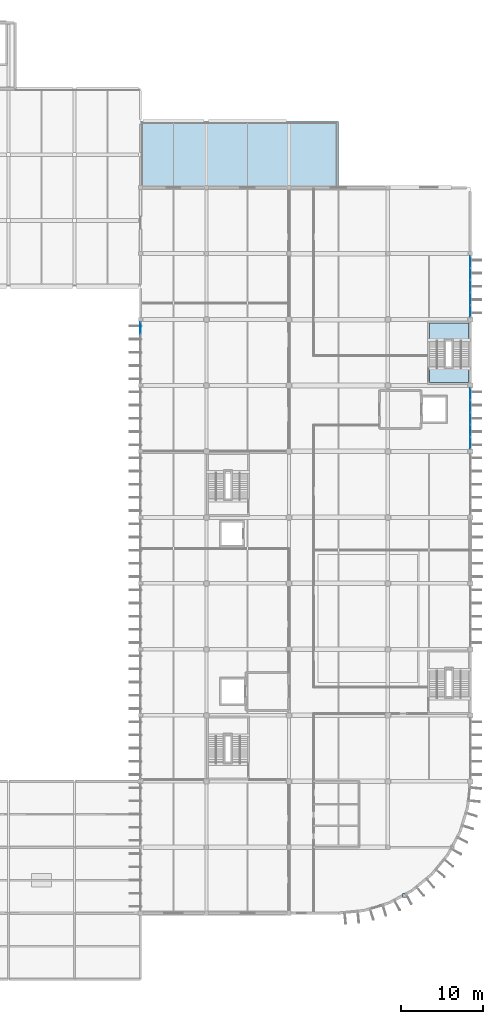
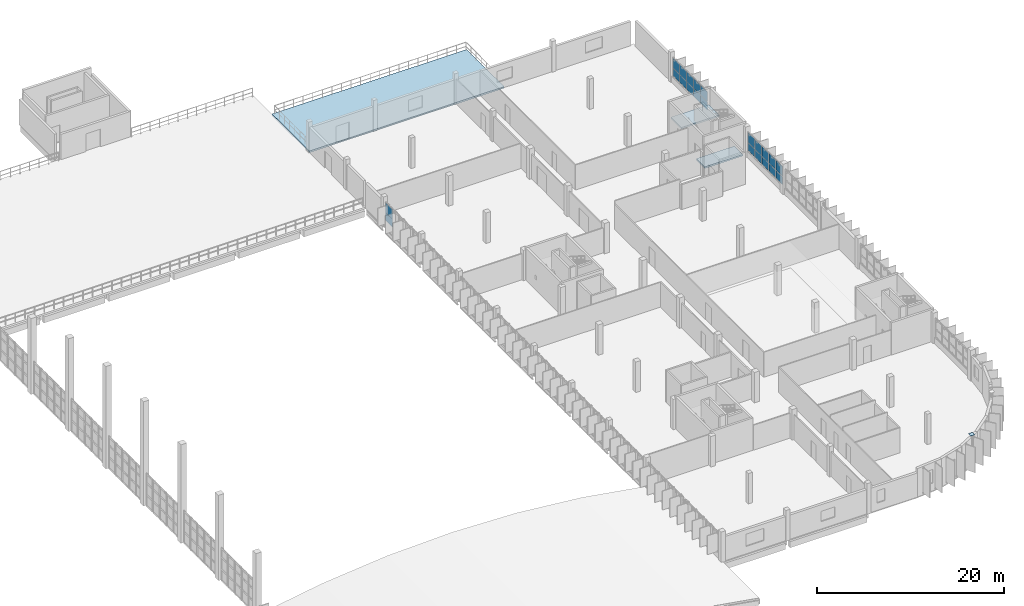
# One storey, part 44 of 66: 23 plates, 3 slabs, 4 elements without a shape of their own.
"""IFC4 building model written with IfcOpenShell, lengths in metres."""

from ifc_helpers import new_model, si_unit, direction, frame, origin, origin_2d, place, context, subcontext, project, spatial, polyline, rectangle, outline, extrude, material, layer, layer_set, type_object, element, aggregate, save


model = new_model("IFC4")

# Units and contexts
model_context = context("Model", 3, precision=1e-05, world=origin(), true_north=direction((0.0, 1.0)))
body_context = subcontext(model_context, "Body", "Model", "MODEL_VIEW")
ifc_project = project(units=[si_unit("LENGTHUNIT", "METRE"), si_unit("AREAUNIT", "SQUARE_METRE"), si_unit("VOLUMEUNIT", "CUBIC_METRE"), si_unit("PLANEANGLEUNIT", "RADIAN"), si_unit("MASSUNIT", "GRAM", prefix="KILO")], contexts=[model_context])

# Site, building, storey
site_placement = place(None, origin())
site = spatial("IfcSite", under=ifc_project, at=site_placement, CompositionType="ELEMENT")
building_placement = place(site_placement, origin())
building = spatial("IfcBuilding", under=site, at=building_placement, Name="Drelvana Railside Aquatics Centre", CompositionType="ELEMENT")
storey_placement = place(building_placement, frame((0.0, 0.0, 10.199951171875)))
storey = spatial("IfcBuildingStorey", under=building, at=storey_placement, Name="L02", CompositionType="ELEMENT", Elevation=10.199951171875)

# Curtain wall, plates
ifc_material_1 = material(Name="Bronze-anodised aluminium curtain wall", Category="aluminium")
ifc_layer_1 = layer(ifc_material_1, 0.175048828125, Name="Bronze-anodised aluminium curtain wall")
ifc_layer_set_1 = layer_set([ifc_layer_1], Name="Bronze-anodised aluminium curtain wall")
curtain_wall_type = type_object("IfcCurtainWallType", Name="CW-Z6-WING", PredefinedType="NOTDEFINED", material=ifc_layer_set_1)
curtain_wall_1_placement = place(storey_placement, origin())
curtain_wall_1 = element("IfcCurtainWall", 1, at=curtain_wall_1_placement, inside=storey, type_object=curtain_wall_type, Name="Curtain wall CW-06-161", PredefinedType="NOTDEFINED")
ifc_material_2 = material(Name="Double-glazed low-e solar-control glass", Category="glass")
ifc_layer_2 = layer(ifc_material_2, 0.02392578125, Name="Double-glazed low-e solar-control glass")
ifc_layer_set_2 = layer_set([ifc_layer_2], Name="Double-glazed low-e solar-control glass")
plate_type_1 = type_object("IfcPlateType", Name="CW-Z6-WING-PAN", PredefinedType="CURTAIN_PANEL", material=ifc_layer_set_2)
plate_1_placement = place(storey_placement, frame((144.0, 78.988525390625, 0.84912109375), z_axis=(0.0, 0.0, 1.0), x_axis=(0.0, 1.0, 0.0)))
plate_1 = element("IfcPlate", 2, at=plate_1_placement, type_object=plate_type_1, Name="CW-06 panel 5.1", PredefinedType="CURTAIN_PANEL", context=body_context, shape_type="SweptSolid", body=[
    extrude(rectangle(XDim=1.414794921875, YDim=0.02392578125, at=origin_2d()), origin(), (0.0, 0.0, 1.0), 1.02490234375),
])
plate_2_placement = place(storey_placement, frame((144.0, 78.988525390625, 1.924072265625), z_axis=(0.0, 0.0, 1.0), x_axis=(0.0, 1.0, 0.0)))
plate_2 = element("IfcPlate", 3, at=plate_2_placement, type_object=plate_type_1, Name="CW-06 panel 5.2", PredefinedType="CURTAIN_PANEL", context=body_context, shape_type="SweptSolid", body=[
    extrude(rectangle(XDim=1.414794921875, YDim=0.02392578125, at=origin_2d()), origin(), (0.0, 0.0, 1.0), 1.27099609375),
])
aggregate(curtain_wall_1, [plate_1, plate_2])

curtain_wall_2_placement = place(storey_placement, origin())
curtain_wall_2 = element("IfcCurtainWall", 4, at=curtain_wall_2_placement, inside=storey, type_object=curtain_wall_type, Name="Curtain wall CW-06-181", PredefinedType="NOTDEFINED")
plate_3_placement = place(storey_placement, frame((184.0, 65.051513671875, 0.84912109375), z_axis=(0.0, 0.0, 1.0), x_axis=(0.0, 1.0, 0.0)))
plate_3 = element("IfcPlate", 5, at=plate_3_placement, type_object=plate_type_1, Name="CW-06 panel 1.1", PredefinedType="CURTAIN_PANEL", context=body_context, shape_type="SweptSolid", body=[
    extrude(rectangle(XDim=1.39501953125, YDim=0.02392578125, at=origin_2d()), origin(), (0.0, 0.0, 1.0), 1.02490234375),
])
plate_4_placement = place(storey_placement, frame((184.0, 65.051513671875, 1.924072265625), z_axis=(0.0, 0.0, 1.0), x_axis=(0.0, 1.0, 0.0)))
plate_4 = element("IfcPlate", 6, at=plate_4_placement, type_object=plate_type_1, Name="CW-06 panel 1.2", PredefinedType="CURTAIN_PANEL", context=body_context, shape_type="SweptSolid", body=[
    extrude(rectangle(XDim=1.39501953125, YDim=0.02392578125, at=origin_2d()), origin(), (0.0, 0.0, 1.0), 1.27099609375),
])
plate_5_placement = place(storey_placement, frame((184.0, 66.517578125, 0.84912109375), z_axis=(0.0, 0.0, 1.0), x_axis=(0.0, 1.0, 0.0)))
plate_5 = element("IfcPlate", 7, at=plate_5_placement, type_object=plate_type_1, Name="CW-06 panel 2.1", PredefinedType="CURTAIN_PANEL", context=body_context, shape_type="SweptSolid", body=[
    extrude(rectangle(XDim=1.427490234375, YDim=0.02392578125, at=origin_2d()), origin(), (0.0, 0.0, 1.0), 1.02490234375),
])
plate_6_placement = place(storey_placement, frame((184.0, 66.517578125, 1.924072265625), z_axis=(0.0, 0.0, 1.0), x_axis=(0.0, 1.0, 0.0)))
plate_6 = element("IfcPlate", 8, at=plate_6_placement, type_object=plate_type_1, Name="CW-06 panel 2.2", PredefinedType="CURTAIN_PANEL", context=body_context, shape_type="SweptSolid", body=[
    extrude(rectangle(XDim=1.427490234375, YDim=0.02392578125, at=origin_2d()), origin(), (0.0, 0.0, 1.0), 1.27099609375),
])
plate_7_placement = place(storey_placement, frame((184.0, 68.0, 0.84912109375), z_axis=(0.0, 0.0, 1.0), x_axis=(0.0, 1.0, 0.0)))
plate_7 = element("IfcPlate", 9, at=plate_7_placement, type_object=plate_type_1, Name="CW-06 panel 3.1", PredefinedType="CURTAIN_PANEL", context=body_context, shape_type="SweptSolid", body=[
    extrude(rectangle(XDim=1.427490234375, YDim=0.02392578125, at=origin_2d()), origin(), (0.0, 0.0, 1.0), 1.02490234375),
])
plate_8_placement = place(storey_placement, frame((184.0, 68.0, 1.924072265625), z_axis=(0.0, 0.0, 1.0), x_axis=(0.0, 1.0, 0.0)))
plate_8 = element("IfcPlate", 10, at=plate_8_placement, type_object=plate_type_1, Name="CW-06 panel 3.2", PredefinedType="CURTAIN_PANEL", context=body_context, shape_type="SweptSolid", body=[
    extrude(rectangle(XDim=1.427490234375, YDim=0.02392578125, at=origin_2d()), origin(), (0.0, 0.0, 1.0), 1.27099609375),
])
plate_9_placement = place(storey_placement, frame((184.0, 69.482421875, 0.84912109375), z_axis=(0.0, 0.0, 1.0), x_axis=(0.0, 1.0, 0.0)))
plate_9 = element("IfcPlate", 11, at=plate_9_placement, type_object=plate_type_1, Name="CW-06 panel 4.1", PredefinedType="CURTAIN_PANEL", context=body_context, shape_type="SweptSolid", body=[
    extrude(rectangle(XDim=1.427490234375, YDim=0.02392578125, at=origin_2d()), origin(), (0.0, 0.0, 1.0), 1.02490234375),
])
plate_10_placement = place(storey_placement, frame((184.0, 69.482421875, 1.924072265625), z_axis=(0.0, 0.0, 1.0), x_axis=(0.0, 1.0, 0.0)))
plate_10 = element("IfcPlate", 12, at=plate_10_placement, type_object=plate_type_1, Name="CW-06 panel 4.2", PredefinedType="CURTAIN_PANEL", context=body_context, shape_type="SweptSolid", body=[
    extrude(rectangle(XDim=1.427490234375, YDim=0.02392578125, at=origin_2d()), origin(), (0.0, 0.0, 1.0), 1.27099609375),
])
plate_11_placement = place(storey_placement, frame((184.0, 70.948486328125, 0.84912109375), z_axis=(0.0, 0.0, 1.0), x_axis=(0.0, 1.0, 0.0)))
plate_11 = element("IfcPlate", 13, at=plate_11_placement, type_object=plate_type_1, Name="CW-06 panel 5.1", PredefinedType="CURTAIN_PANEL", context=body_context, shape_type="SweptSolid", body=[
    extrude(rectangle(XDim=1.39501953125, YDim=0.02392578125, at=origin_2d()), origin(), (0.0, 0.0, 1.0), 1.02490234375),
])
plate_12_placement = place(storey_placement, frame((184.0, 70.948486328125, 1.924072265625), z_axis=(0.0, 0.0, 1.0), x_axis=(0.0, 1.0, 0.0)))
plate_12 = element("IfcPlate", 14, at=plate_12_placement, type_object=plate_type_1, Name="CW-06 panel 5.2", PredefinedType="CURTAIN_PANEL", context=body_context, shape_type="SweptSolid", body=[
    extrude(rectangle(XDim=1.39501953125, YDim=0.02392578125, at=origin_2d()), origin(), (0.0, 0.0, 1.0), 1.27099609375),
])
aggregate(curtain_wall_2, [plate_3, plate_4, plate_5, plate_6, plate_7, plate_8, plate_9, plate_10, plate_11, plate_12])

curtain_wall_3_placement = place(storey_placement, origin())
curtain_wall_3 = element("IfcCurtainWall", 15, at=curtain_wall_3_placement, inside=storey, type_object=curtain_wall_type, Name="Curtain wall CW-06-186", PredefinedType="NOTDEFINED")
plate_13_placement = place(storey_placement, frame((184.0, 81.056396484375, 0.84912109375), z_axis=(0.0, 0.0, 1.0), x_axis=(0.0, 1.0, 0.0)))
plate_13 = element("IfcPlate", 16, at=plate_13_placement, type_object=plate_type_1, Name="CW-06 panel 1.1", PredefinedType="CURTAIN_PANEL", context=body_context, shape_type="SweptSolid", body=[
    extrude(rectangle(XDim=1.40478515625, YDim=0.02392578125, at=origin_2d()), origin(), (0.0, 0.0, 1.0), 1.02490234375),
])
plate_14_placement = place(storey_placement, frame((184.0, 81.056396484375, 1.924072265625), z_axis=(0.0, 0.0, 1.0), x_axis=(0.0, 1.0, 0.0)))
plate_14 = element("IfcPlate", 17, at=plate_14_placement, type_object=plate_type_1, Name="CW-06 panel 1.2", PredefinedType="CURTAIN_PANEL", context=body_context, shape_type="SweptSolid", body=[
    extrude(rectangle(XDim=1.40478515625, YDim=0.02392578125, at=origin_2d()), origin(), (0.0, 0.0, 1.0), 1.27099609375),
])
plate_15_placement = place(storey_placement, frame((184.0, 82.53271484375, 0.84912109375), z_axis=(0.0, 0.0, 1.0), x_axis=(0.0, 1.0, 0.0)))
plate_15 = element("IfcPlate", 18, at=plate_15_placement, type_object=plate_type_1, Name="CW-06 panel 2.1", PredefinedType="CURTAIN_PANEL", context=body_context, shape_type="SweptSolid", body=[
    extrude(rectangle(XDim=1.4375, YDim=0.02392578125, at=origin_2d()), origin(), (0.0, 0.0, 1.0), 1.02490234375),
])
plate_16_placement = place(storey_placement, frame((184.0, 82.53271484375, 1.924072265625), z_axis=(0.0, 0.0, 1.0), x_axis=(0.0, 1.0, 0.0)))
plate_16 = element("IfcPlate", 19, at=plate_16_placement, type_object=plate_type_1, Name="CW-06 panel 2.2", PredefinedType="CURTAIN_PANEL", context=body_context, shape_type="SweptSolid", body=[
    extrude(rectangle(XDim=1.4375, YDim=0.02392578125, at=origin_2d()), origin(), (0.0, 0.0, 1.0), 1.27099609375),
])
plate_17_placement = place(storey_placement, frame((184.0, 84.02490234375, 0.84912109375), z_axis=(0.0, 0.0, 1.0), x_axis=(0.0, 1.0, 0.0)))
plate_17 = element("IfcPlate", 20, at=plate_17_placement, type_object=plate_type_1, Name="CW-06 panel 3.1", PredefinedType="CURTAIN_PANEL", context=body_context, shape_type="SweptSolid", body=[
    extrude(rectangle(XDim=1.4375, YDim=0.02392578125, at=origin_2d()), origin(), (0.0, 0.0, 1.0), 1.02490234375),
])
plate_18_placement = place(storey_placement, frame((184.0, 84.02490234375, 1.924072265625), z_axis=(0.0, 0.0, 1.0), x_axis=(0.0, 1.0, 0.0)))
plate_18 = element("IfcPlate", 21, at=plate_18_placement, type_object=plate_type_1, Name="CW-06 panel 3.2", PredefinedType="CURTAIN_PANEL", context=body_context, shape_type="SweptSolid", body=[
    extrude(rectangle(XDim=1.4375, YDim=0.02392578125, at=origin_2d()), origin(), (0.0, 0.0, 1.0), 1.27099609375),
])
plate_19_placement = place(storey_placement, frame((184.0, 85.517333984375, 0.84912109375), z_axis=(0.0, 0.0, 1.0), x_axis=(0.0, 1.0, 0.0)))
plate_19 = element("IfcPlate", 22, at=plate_19_placement, type_object=plate_type_1, Name="CW-06 panel 4.1", PredefinedType="CURTAIN_PANEL", context=body_context, shape_type="SweptSolid", body=[
    extrude(rectangle(XDim=1.4375, YDim=0.02392578125, at=origin_2d()), origin(), (0.0, 0.0, 1.0), 1.02490234375),
])
plate_20_placement = place(storey_placement, frame((184.0, 85.517333984375, 1.924072265625), z_axis=(0.0, 0.0, 1.0), x_axis=(0.0, 1.0, 0.0)))
plate_20 = element("IfcPlate", 23, at=plate_20_placement, type_object=plate_type_1, Name="CW-06 panel 4.2", PredefinedType="CURTAIN_PANEL", context=body_context, shape_type="SweptSolid", body=[
    extrude(rectangle(XDim=1.4375, YDim=0.02392578125, at=origin_2d()), origin(), (0.0, 0.0, 1.0), 1.27099609375),
])
plate_21_placement = place(storey_placement, frame((184.0, 86.99365234375, 0.84912109375), z_axis=(0.0, 0.0, 1.0), x_axis=(0.0, 1.0, 0.0)))
plate_21 = element("IfcPlate", 24, at=plate_21_placement, type_object=plate_type_1, Name="CW-06 panel 5.1", PredefinedType="CURTAIN_PANEL", context=body_context, shape_type="SweptSolid", body=[
    extrude(rectangle(XDim=1.40478515625, YDim=0.02392578125, at=origin_2d()), origin(), (0.0, 0.0, 1.0), 1.02490234375),
])
plate_22_placement = place(storey_placement, frame((184.0, 86.99365234375, 1.924072265625), z_axis=(0.0, 0.0, 1.0), x_axis=(0.0, 1.0, 0.0)))
plate_22 = element("IfcPlate", 25, at=plate_22_placement, type_object=plate_type_1, Name="CW-06 panel 5.2", PredefinedType="CURTAIN_PANEL", context=body_context, shape_type="SweptSolid", body=[
    extrude(rectangle(XDim=1.40478515625, YDim=0.02392578125, at=origin_2d()), origin(), (0.0, 0.0, 1.0), 1.27099609375),
])
aggregate(curtain_wall_3, [plate_13, plate_14, plate_15, plate_16, plate_17, plate_18, plate_19, plate_20, plate_21, plate_22])

# Slab
ifc_material_3 = material(Name="Concrete C40/50", Category="concrete")
ifc_layer_3 = layer(ifc_material_3, 0.199951171875, Name="Concrete C40/50")
ifc_layer_set_3 = layer_set([ifc_layer_3], Name="Concrete C40/50")
slab_type_1 = type_object("IfcSlabType", Name="SL-LAND-200", PredefinedType="LANDING", material=ifc_layer_set_3)
slab_1_placement = place(storey_placement, frame((0.0, 0.0, -0.199951171875)))
element("IfcSlab", 26, at=slab_1_placement, inside=storey, type_object=slab_type_1, Name="Stair ST-07 L02 floor landing", PredefinedType="LANDING", context=body_context, shape_type="SweptSolid", body=[
    extrude(outline(polyline([(179.050048828125, 72.35009765625), (183.75, 72.35009765625), (183.75, 74.14990234375), (179.050048828125, 74.14990234375), (179.050048828125, 72.35009765625)])), origin(), (0.0, 0.0, 1.0), 0.199951171875),
])

# Stair, slab
stair_type = type_object("IfcStairType", Name="ST-CORE-W160", PredefinedType="HALF_TURN_STAIR", material=ifc_material_3)
stair_placement = place(storey_placement, origin())
stair = element("IfcStair", 27, at=stair_placement, inside=storey, type_object=stair_type, Name="Exit stair ST-07 (L02 to L03)", PredefinedType="HALF_TURN_STAIR")
slab_2_placement = place(storey_placement, frame((0.0, 0.0, 1.900146484375)))
slab_2 = element("IfcSlab", 28, at=slab_2_placement, type_object=slab_type_1, Name="ST-NR landing 1", PredefinedType="LANDING", context=body_context, shape_type="SweptSolid", body=[
    extrude(outline(polyline([(179.050048828125, 77.344970703125), (183.75, 77.344970703125), (183.75, 79.590087890625), (179.050048828125, 79.590087890625), (179.050048828125, 77.344970703125)])), origin(), (0.0, 0.0, 1.0), 0.199951171875),
])
aggregate(stair, [slab_2])

# Slab
ifc_material_4 = material(Name="Waterproof concrete C40/50", Category="concrete")
ifc_layer_4 = layer(ifc_material_4, 0.2099609375, Name="Waterproof concrete C40/50")
ifc_layer_set_4 = layer_set([ifc_layer_4], Name="Waterproof concrete C40/50")
slab_type_2 = type_object("IfcSlabType", Name="SL-TER-210", PredefinedType="FLOOR", material=ifc_layer_set_4)
slab_3_placement = place(storey_placement, frame((0.0, 0.0, -0.2099609375)))
element("IfcSlab", 29, at=slab_3_placement, inside=storey, type_object=slab_type_2, Name="Wellness North Sun Terrace slab", PredefinedType="FLOOR", context=body_context, shape_type="SweptSolid", body=[
    extrude(outline(polyline([(144.0, 96.0), (168.0, 96.0), (168.0, 104.0), (144.0, 104.0), (144.0, 96.0)])), origin(), (0.0, 0.0, 1.0), 0.2099609375),
])

# Plate
ifc_material_5 = material(Name="Structural steel S355", Category="steel")
ifc_layer_5 = layer(ifc_material_5, 0.014892578125, Name="Structural steel S355")
ifc_layer_set_5 = layer_set([ifc_layer_5], Name="Structural steel S355")
plate_type_2 = type_object("IfcPlateType", Name="STR-PLT-PL-01", PredefinedType="SHEET", material=ifc_layer_set_5)
plate_23_placement = place(storey_placement, frame((176.0, 10.1435546875, 3.982421875), z_axis=(0.0, 0.0, 1.0), x_axis=(1.0, 0.0, 0.0)))
element("IfcPlate", 30, at=plate_23_placement, inside=storey, type_object=plate_type_2, Name="Steel bearing cap plate PL-01 #4", PredefinedType="SHEET", context=body_context, shape_type="SweptSolid", body=[
    extrude(rectangle(XDim=0.5, YDim=0.5, at=origin_2d()), origin(), (0.0, 0.0, 1.0), 0.014892578125),
])

save(model, "model.ifc")
